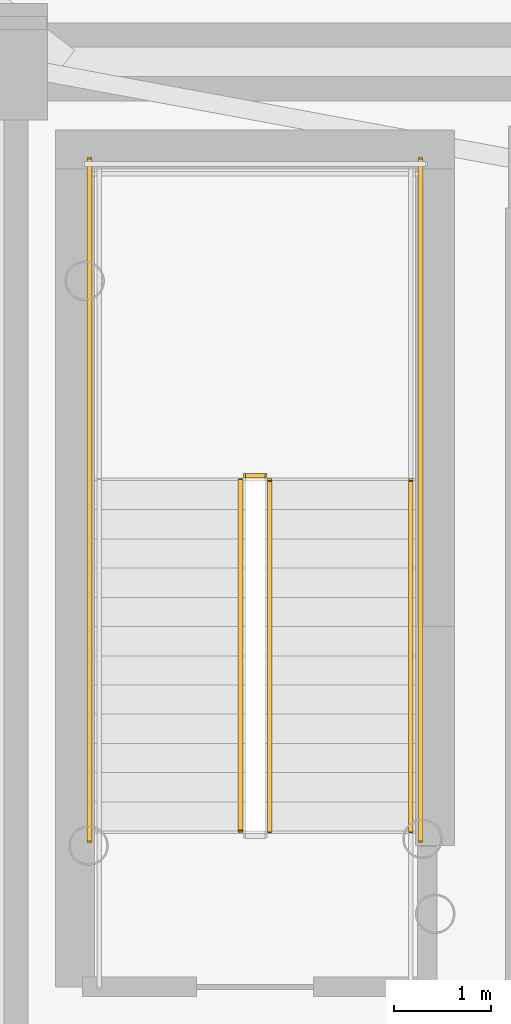
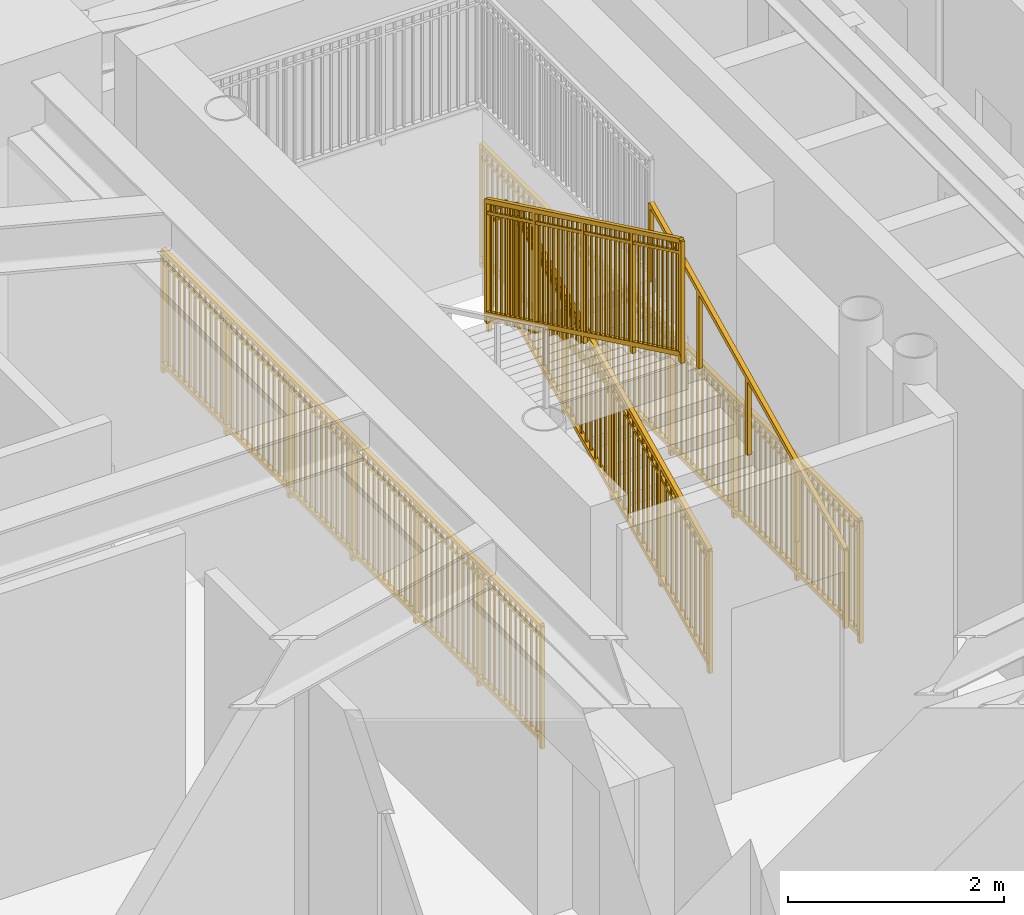
# One storey, part 13 of 17: 6 railings.
"""IFC4 building model written with IfcOpenShell, lengths in metres."""

from ifc_helpers import new_model, si_unit, direction, frame, origin, origin_2d, place, context, subcontext, project, spatial, rectangle, extrude, source, transform, mapped, material, type_object, element, save


model = new_model("IFC4")

# Units and contexts
model_context = context("Model", 3, precision=1e-05, world=origin(), true_north=direction((0.0, 1.0)))
body_context = subcontext(model_context, "Body", "Model", "MODEL_VIEW")
ifc_project = project(units=[si_unit("LENGTHUNIT", "METRE"), si_unit("AREAUNIT", "SQUARE_METRE"), si_unit("VOLUMEUNIT", "CUBIC_METRE"), si_unit("PLANEANGLEUNIT", "RADIAN"), si_unit("MASSUNIT", "GRAM", prefix="KILO")], contexts=[model_context])

# Site, building, storey
site_placement = place(None, origin())
site = spatial("IfcSite", under=ifc_project, at=site_placement, CompositionType="ELEMENT")
building_placement = place(site_placement, origin())
building = spatial("IfcBuilding", under=site, at=building_placement, Name="Linh Dai School and Residence Tower", CompositionType="ELEMENT")
storey_placement = place(building_placement, frame((0.0, 0.0, 201.14990234375)))
storey = spatial("IfcBuildingStorey", under=building, at=storey_placement, Name="L49", CompositionType="ELEMENT", Elevation=201.14990234375)

# Railings
ifc_material_1 = material(Name="Structural Steel S355JR", Category="steel")
railing_type_1 = type_object("IfcRailingType", Name="RL-ST-GUARD-1400", PredefinedType="GUARDRAIL", material=ifc_material_1)
shared_shape_1 = source(origin(), body_context, "Body", "SweptSolid", [
    extrude(rectangle(XDim=0.048095703125, YDim=0.048095703125, at=origin_2d()), frame((0.0, 0.0, 1.3759765625), z_axis=(-1.0, 0.0, 0.0), x_axis=(0.0, -1.0, 0.0)), (0.0, 0.0, 1.0), 0.199951171875),
    extrude(rectangle(XDim=0.048095703125, YDim=0.048095703125, at=origin_2d()), frame((0.0, 0.0, 0.10009765625), z_axis=(-1.0, 0.0, 0.0), x_axis=(0.0, -1.0, 0.0)), (0.0, 0.0, 1.0), 0.199951171875),
    extrude(rectangle(XDim=0.030029296875, YDim=0.030029296875, at=origin_2d()), frame((0.0, 0.0, 1.239990234375), z_axis=(-1.0, 0.0, 0.0), x_axis=(0.0, -1.0, 0.0)), (0.0, 0.0, 1.0), 0.199951171875),
    extrude(rectangle(XDim=0.0419921875, YDim=0.0419921875, at=origin_2d()), origin(), (0.0, 0.0, 1.0), 1.3759765625),
    extrude(rectangle(XDim=0.0419921875, YDim=0.0419921875, at=origin_2d()), frame((-0.199951171875, 0.0, 0.0)), (0.0, 0.0, 1.0), 1.3759765625),
])
railing_1_placement = place(storey_placement, frame((29.429931640625, 29.35009765625, 1.875)))
element("IfcRailing", 1, at=railing_1_placement, inside=storey, type_object=railing_type_1, Name="L49 ST1 stair guard 2", PredefinedType="GUARDRAIL", context=body_context, shape_type="MappedRepresentation", body=[
    mapped(shared_shape_1, transform((0.0, 0.0, 0.0), x_axis=(1.0, 0.0, 0.0), y_axis=(0.0, 1.0, 0.0), z_axis=(0.0, 0.0, 1.0), scale=1.0)),
])
shared_shape_2 = source(origin(), body_context, "Body", "SweptSolid", [
    extrude(rectangle(XDim=0.048095703125, YDim=0.048095703125, at=origin_2d()), frame((0.0, 0.0, 1.3759765625), z_axis=(0.0, 1.0, 0.0), x_axis=(-1.0, 0.0, 0.0)), (0.0, 0.0, 1.0), 7.0),
    extrude(rectangle(XDim=0.048095703125, YDim=0.048095703125, at=origin_2d()), frame((0.0, 0.0, 0.10009765625), z_axis=(0.0, 1.0, 0.0), x_axis=(-1.0, 0.0, 0.0)), (0.0, 0.0, 1.0), 7.0),
    extrude(rectangle(XDim=0.030029296875, YDim=0.030029296875, at=origin_2d()), frame((0.0, 0.0, 1.239990234375), z_axis=(0.0, 1.0, 0.0), x_axis=(-1.0, 0.0, 0.0)), (0.0, 0.0, 1.0), 7.0),
    extrude(rectangle(XDim=0.02001953125, YDim=0.02001953125, at=origin_2d()), frame((0.0, 0.09716796875, 0.10009765625)), (0.0, 0.0, 1.0), 1.251708984375),
    extrude(rectangle(XDim=0.02001953125, YDim=0.02001953125, at=origin_2d()), frame((0.0, 0.1943359375, 0.10009765625)), (0.0, 0.0, 1.0), 1.251708984375),
    extrude(rectangle(XDim=0.02001953125, YDim=0.02001953125, at=origin_2d()), frame((0.0, 0.291748046875, 0.10009765625)), (0.0, 0.0, 1.0), 1.251708984375),
    extrude(rectangle(XDim=0.02001953125, YDim=0.02001953125, at=origin_2d()), frame((0.0, 0.388916015625, 0.10009765625)), (0.0, 0.0, 1.0), 1.251708984375),
    extrude(rectangle(XDim=0.02001953125, YDim=0.02001953125, at=origin_2d()), frame((0.0, 0.486083984375, 0.10009765625)), (0.0, 0.0, 1.0), 1.251708984375),
    extrude(rectangle(XDim=0.02001953125, YDim=0.02001953125, at=origin_2d()), frame((0.0, 0.583251953125, 0.10009765625)), (0.0, 0.0, 1.0), 1.251708984375),
    extrude(rectangle(XDim=0.02001953125, YDim=0.02001953125, at=origin_2d()), frame((0.0, 0.6806640625, 0.10009765625)), (0.0, 0.0, 1.0), 1.251708984375),
    extrude(rectangle(XDim=0.02001953125, YDim=0.02001953125, at=origin_2d()), frame((0.0, 0.77783203125, 0.10009765625)), (0.0, 0.0, 1.0), 1.251708984375),
    extrude(rectangle(XDim=0.02001953125, YDim=0.02001953125, at=origin_2d()), frame((0.0, 0.875, 0.10009765625)), (0.0, 0.0, 1.0), 1.251708984375),
    extrude(rectangle(XDim=0.02001953125, YDim=0.02001953125, at=origin_2d()), frame((0.0, 0.97216796875, 0.10009765625)), (0.0, 0.0, 1.0), 1.251708984375),
    extrude(rectangle(XDim=0.02001953125, YDim=0.02001953125, at=origin_2d()), frame((0.0, 1.0693359375, 0.10009765625)), (0.0, 0.0, 1.0), 1.251708984375),
    extrude(rectangle(XDim=0.02001953125, YDim=0.02001953125, at=origin_2d()), frame((0.0, 1.263916015625, 0.10009765625)), (0.0, 0.0, 1.0), 1.251708984375),
    extrude(rectangle(XDim=0.02001953125, YDim=0.02001953125, at=origin_2d()), frame((0.0, 1.361083984375, 0.10009765625)), (0.0, 0.0, 1.0), 1.251708984375),
    extrude(rectangle(XDim=0.02001953125, YDim=0.02001953125, at=origin_2d()), frame((0.0, 1.458251953125, 0.10009765625)), (0.0, 0.0, 1.0), 1.251708984375),
    extrude(rectangle(XDim=0.02001953125, YDim=0.02001953125, at=origin_2d()), frame((0.0, 1.5556640625, 0.10009765625)), (0.0, 0.0, 1.0), 1.251708984375),
    extrude(rectangle(XDim=0.02001953125, YDim=0.02001953125, at=origin_2d()), frame((0.0, 1.65283203125, 0.10009765625)), (0.0, 0.0, 1.0), 1.251708984375),
    extrude(rectangle(XDim=0.02001953125, YDim=0.02001953125, at=origin_2d()), frame((0.0, 1.75, 0.10009765625)), (0.0, 0.0, 1.0), 1.251708984375),
    extrude(rectangle(XDim=0.02001953125, YDim=0.02001953125, at=origin_2d()), frame((0.0, 1.84716796875, 0.10009765625)), (0.0, 0.0, 1.0), 1.251708984375),
    extrude(rectangle(XDim=0.02001953125, YDim=0.02001953125, at=origin_2d()), frame((0.0, 1.9443359375, 0.10009765625)), (0.0, 0.0, 1.0), 1.251708984375),
    extrude(rectangle(XDim=0.02001953125, YDim=0.02001953125, at=origin_2d()), frame((0.0, 2.041748046875, 0.10009765625)), (0.0, 0.0, 1.0), 1.251708984375),
    extrude(rectangle(XDim=0.02001953125, YDim=0.02001953125, at=origin_2d()), frame((0.0, 2.138916015625, 0.10009765625)), (0.0, 0.0, 1.0), 1.251708984375),
    extrude(rectangle(XDim=0.02001953125, YDim=0.02001953125, at=origin_2d()), frame((0.0, 2.236083984375, 0.10009765625)), (0.0, 0.0, 1.0), 1.251708984375),
    extrude(rectangle(XDim=0.02001953125, YDim=0.02001953125, at=origin_2d()), frame((0.0, 2.4306640625, 0.10009765625)), (0.0, 0.0, 1.0), 1.251708984375),
    extrude(rectangle(XDim=0.02001953125, YDim=0.02001953125, at=origin_2d()), frame((0.0, 2.52783203125, 0.10009765625)), (0.0, 0.0, 1.0), 1.251708984375),
    extrude(rectangle(XDim=0.02001953125, YDim=0.02001953125, at=origin_2d()), frame((0.0, 2.625, 0.10009765625)), (0.0, 0.0, 1.0), 1.251708984375),
    extrude(rectangle(XDim=0.02001953125, YDim=0.02001953125, at=origin_2d()), frame((0.0, 2.72216796875, 0.10009765625)), (0.0, 0.0, 1.0), 1.251708984375),
    extrude(rectangle(XDim=0.02001953125, YDim=0.02001953125, at=origin_2d()), frame((0.0, 2.8193359375, 0.10009765625)), (0.0, 0.0, 1.0), 1.251708984375),
    extrude(rectangle(XDim=0.02001953125, YDim=0.02001953125, at=origin_2d()), frame((0.0, 2.916748046875, 0.10009765625)), (0.0, 0.0, 1.0), 1.251708984375),
    extrude(rectangle(XDim=0.02001953125, YDim=0.02001953125, at=origin_2d()), frame((0.0, 3.013916015625, 0.10009765625)), (0.0, 0.0, 1.0), 1.251708984375),
    extrude(rectangle(XDim=0.02001953125, YDim=0.02001953125, at=origin_2d()), frame((0.0, 3.111083984375, 0.10009765625)), (0.0, 0.0, 1.0), 1.251708984375),
    extrude(rectangle(XDim=0.02001953125, YDim=0.02001953125, at=origin_2d()), frame((0.0, 3.208251953125, 0.10009765625)), (0.0, 0.0, 1.0), 1.251708984375),
    extrude(rectangle(XDim=0.02001953125, YDim=0.02001953125, at=origin_2d()), frame((0.0, 3.3056640625, 0.10009765625)), (0.0, 0.0, 1.0), 1.251708984375),
    extrude(rectangle(XDim=0.02001953125, YDim=0.02001953125, at=origin_2d()), frame((0.0, 3.40283203125, 0.10009765625)), (0.0, 0.0, 1.0), 1.251708984375),
    extrude(rectangle(XDim=0.02001953125, YDim=0.02001953125, at=origin_2d()), frame((0.0, 3.59716796875, 0.10009765625)), (0.0, 0.0, 1.0), 1.251708984375),
    extrude(rectangle(XDim=0.02001953125, YDim=0.02001953125, at=origin_2d()), frame((0.0, 3.6943359375, 0.10009765625)), (0.0, 0.0, 1.0), 1.251708984375),
    extrude(rectangle(XDim=0.02001953125, YDim=0.02001953125, at=origin_2d()), frame((0.0, 3.791748046875, 0.10009765625)), (0.0, 0.0, 1.0), 1.251708984375),
    extrude(rectangle(XDim=0.02001953125, YDim=0.02001953125, at=origin_2d()), frame((0.0, 3.888916015625, 0.10009765625)), (0.0, 0.0, 1.0), 1.251708984375),
    extrude(rectangle(XDim=0.02001953125, YDim=0.02001953125, at=origin_2d()), frame((0.0, 3.986083984375, 0.10009765625)), (0.0, 0.0, 1.0), 1.251708984375),
    extrude(rectangle(XDim=0.02001953125, YDim=0.02001953125, at=origin_2d()), frame((0.0, 4.083251953125, 0.10009765625)), (0.0, 0.0, 1.0), 1.251708984375),
    extrude(rectangle(XDim=0.02001953125, YDim=0.02001953125, at=origin_2d()), frame((0.0, 4.1806640625, 0.10009765625)), (0.0, 0.0, 1.0), 1.251708984375),
    extrude(rectangle(XDim=0.02001953125, YDim=0.02001953125, at=origin_2d()), frame((0.0, 4.27783203125, 0.10009765625)), (0.0, 0.0, 1.0), 1.251708984375),
    extrude(rectangle(XDim=0.02001953125, YDim=0.02001953125, at=origin_2d()), frame((0.0, 4.375, 0.10009765625)), (0.0, 0.0, 1.0), 1.251708984375),
    extrude(rectangle(XDim=0.02001953125, YDim=0.02001953125, at=origin_2d()), frame((0.0, 4.47216796875, 0.10009765625)), (0.0, 0.0, 1.0), 1.251708984375),
    extrude(rectangle(XDim=0.02001953125, YDim=0.02001953125, at=origin_2d()), frame((0.0, 4.5693359375, 0.10009765625)), (0.0, 0.0, 1.0), 1.251708984375),
    extrude(rectangle(XDim=0.02001953125, YDim=0.02001953125, at=origin_2d()), frame((0.0, 4.763916015625, 0.10009765625)), (0.0, 0.0, 1.0), 1.251708984375),
    extrude(rectangle(XDim=0.02001953125, YDim=0.02001953125, at=origin_2d()), frame((0.0, 4.861083984375, 0.10009765625)), (0.0, 0.0, 1.0), 1.251708984375),
    extrude(rectangle(XDim=0.02001953125, YDim=0.02001953125, at=origin_2d()), frame((0.0, 4.958251953125, 0.10009765625)), (0.0, 0.0, 1.0), 1.251708984375),
    extrude(rectangle(XDim=0.02001953125, YDim=0.02001953125, at=origin_2d()), frame((0.0, 5.0556640625, 0.10009765625)), (0.0, 0.0, 1.0), 1.251708984375),
    extrude(rectangle(XDim=0.02001953125, YDim=0.02001953125, at=origin_2d()), frame((0.0, 5.15283203125, 0.10009765625)), (0.0, 0.0, 1.0), 1.251708984375),
    extrude(rectangle(XDim=0.02001953125, YDim=0.02001953125, at=origin_2d()), frame((0.0, 5.25, 0.10009765625)), (0.0, 0.0, 1.0), 1.251708984375),
    extrude(rectangle(XDim=0.02001953125, YDim=0.02001953125, at=origin_2d()), frame((0.0, 5.34716796875, 0.10009765625)), (0.0, 0.0, 1.0), 1.251708984375),
    extrude(rectangle(XDim=0.02001953125, YDim=0.02001953125, at=origin_2d()), frame((0.0, 5.4443359375, 0.10009765625)), (0.0, 0.0, 1.0), 1.251708984375),
    extrude(rectangle(XDim=0.02001953125, YDim=0.02001953125, at=origin_2d()), frame((0.0, 5.541748046875, 0.10009765625)), (0.0, 0.0, 1.0), 1.251708984375),
    extrude(rectangle(XDim=0.02001953125, YDim=0.02001953125, at=origin_2d()), frame((0.0, 5.638916015625, 0.10009765625)), (0.0, 0.0, 1.0), 1.251708984375),
    extrude(rectangle(XDim=0.02001953125, YDim=0.02001953125, at=origin_2d()), frame((0.0, 5.736083984375, 0.10009765625)), (0.0, 0.0, 1.0), 1.251708984375),
    extrude(rectangle(XDim=0.02001953125, YDim=0.02001953125, at=origin_2d()), frame((0.0, 5.9306640625, 0.10009765625)), (0.0, 0.0, 1.0), 1.251708984375),
    extrude(rectangle(XDim=0.02001953125, YDim=0.02001953125, at=origin_2d()), frame((0.0, 6.02783203125, 0.10009765625)), (0.0, 0.0, 1.0), 1.251708984375),
    extrude(rectangle(XDim=0.02001953125, YDim=0.02001953125, at=origin_2d()), frame((0.0, 6.125, 0.10009765625)), (0.0, 0.0, 1.0), 1.251708984375),
    extrude(rectangle(XDim=0.02001953125, YDim=0.02001953125, at=origin_2d()), frame((0.0, 6.22216796875, 0.10009765625)), (0.0, 0.0, 1.0), 1.251708984375),
    extrude(rectangle(XDim=0.02001953125, YDim=0.02001953125, at=origin_2d()), frame((0.0, 6.3193359375, 0.10009765625)), (0.0, 0.0, 1.0), 1.251708984375),
    extrude(rectangle(XDim=0.02001953125, YDim=0.02001953125, at=origin_2d()), frame((0.0, 6.416748046875, 0.10009765625)), (0.0, 0.0, 1.0), 1.251708984375),
    extrude(rectangle(XDim=0.02001953125, YDim=0.02001953125, at=origin_2d()), frame((0.0, 6.513916015625, 0.10009765625)), (0.0, 0.0, 1.0), 1.251708984375),
    extrude(rectangle(XDim=0.02001953125, YDim=0.02001953125, at=origin_2d()), frame((0.0, 6.611083984375, 0.10009765625)), (0.0, 0.0, 1.0), 1.251708984375),
    extrude(rectangle(XDim=0.02001953125, YDim=0.02001953125, at=origin_2d()), frame((0.0, 6.708251953125, 0.10009765625)), (0.0, 0.0, 1.0), 1.251708984375),
    extrude(rectangle(XDim=0.02001953125, YDim=0.02001953125, at=origin_2d()), frame((0.0, 6.8056640625, 0.10009765625)), (0.0, 0.0, 1.0), 1.251708984375),
    extrude(rectangle(XDim=0.02001953125, YDim=0.02001953125, at=origin_2d()), frame((0.0, 6.90283203125, 0.10009765625)), (0.0, 0.0, 1.0), 1.251708984375),
    extrude(rectangle(XDim=0.0419921875, YDim=0.0419921875, at=origin_2d()), origin(), (0.0, 0.0, 1.0), 1.3759765625),
    extrude(rectangle(XDim=0.0419921875, YDim=0.0419921875, at=origin_2d()), frame((0.0, 1.166748046875, 0.0)), (0.0, 0.0, 1.0), 1.3759765625),
    extrude(rectangle(XDim=0.0419921875, YDim=0.0419921875, at=origin_2d()), frame((0.0, 2.333251953125, 0.0)), (0.0, 0.0, 1.0), 1.3759765625),
    extrude(rectangle(XDim=0.0419921875, YDim=0.0419921875, at=origin_2d()), frame((0.0, 3.5, 0.0)), (0.0, 0.0, 1.0), 1.3759765625),
    extrude(rectangle(XDim=0.0419921875, YDim=0.0419921875, at=origin_2d()), frame((0.0, 4.666748046875, 0.0)), (0.0, 0.0, 1.0), 1.3759765625),
    extrude(rectangle(XDim=0.0419921875, YDim=0.0419921875, at=origin_2d()), frame((0.0, 5.833251953125, 0.0)), (0.0, 0.0, 1.0), 1.3759765625),
    extrude(rectangle(XDim=0.0419921875, YDim=0.0419921875, at=origin_2d()), frame((0.0, 7.0, 0.0)), (0.0, 0.0, 1.0), 1.3759765625),
])
for number, where, name in (
    (2, (31.030029296875, 25.60009765625, 0.0), "L49 ST1 stair guard 10"),
    (3, (27.6298828125, 25.60009765625, 0.0), "L49 ST1 stair guard 11"),
):
    element("IfcRailing", number, at=place(storey_placement, frame(where)), inside=storey, type_object=railing_type_1, Name=name, PredefinedType="GUARDRAIL", context=body_context, shape_type="MappedRepresentation", body=[
        mapped(shared_shape_2, transform((0.0, 0.0, 0.0), x_axis=(1.0, 0.0, 0.0), y_axis=(0.0, 1.0, 0.0), z_axis=(0.0, 0.0, 1.0), scale=1.0)),
    ])
shared_shape_3 = source(origin(), body_context, "Body", "SweptSolid", [
    extrude(rectangle(XDim=0.048095703125, YDim=0.048095703125, at=origin_2d()), frame((0.0, 0.0, 1.3759765625), z_axis=(0.0, 0.901262522062, 0.433273431364), x_axis=(-1.0, 0.0, 0.0)), (0.0, 0.0, 1.0), 3.994384765625),
    extrude(rectangle(XDim=0.048095703125, YDim=0.048095703125, at=origin_2d()), frame((0.0, 0.0, 0.10009765625), z_axis=(0.0, 0.901262522062, 0.433273431364), x_axis=(-1.0, 0.0, 0.0)), (0.0, 0.0, 1.0), 3.994384765625),
    extrude(rectangle(XDim=0.030029296875, YDim=0.030029296875, at=origin_2d()), frame((0.0, 0.0, 1.239990234375), z_axis=(0.0, 0.901262522062, 0.433273431364), x_axis=(-1.0, 0.0, 0.0)), (0.0, 0.0, 1.0), 3.994384765625),
    extrude(rectangle(XDim=0.02001953125, YDim=0.02001953125, at=origin_2d()), frame((0.0, 0.087890625, 0.142333984375)), (0.0, 0.0, 1.0), 1.251708984375),
    extrude(rectangle(XDim=0.02001953125, YDim=0.02001953125, at=origin_2d()), frame((0.0, 0.175537109375, 0.1845703125)), (0.0, 0.0, 1.0), 1.251708984375),
    extrude(rectangle(XDim=0.02001953125, YDim=0.02001953125, at=origin_2d()), frame((0.0, 0.263427734375, 0.226806640625)), (0.0, 0.0, 1.0), 1.251708984375),
    extrude(rectangle(XDim=0.02001953125, YDim=0.02001953125, at=origin_2d()), frame((0.0, 0.351318359375, 0.26904296875)), (0.0, 0.0, 1.0), 1.251708984375),
    extrude(rectangle(XDim=0.02001953125, YDim=0.02001953125, at=origin_2d()), frame((0.0, 0.43896484375, 0.311279296875)), (0.0, 0.0, 1.0), 1.251708984375),
    extrude(rectangle(XDim=0.02001953125, YDim=0.02001953125, at=origin_2d()), frame((0.0, 0.52685546875, 0.353271484375)), (0.0, 0.0, 1.0), 1.251708984375),
    extrude(rectangle(XDim=0.02001953125, YDim=0.02001953125, at=origin_2d()), frame((0.0, 0.61474609375, 0.3955078125)), (0.0, 0.0, 1.0), 1.251708984375),
    extrude(rectangle(XDim=0.02001953125, YDim=0.02001953125, at=origin_2d()), frame((0.0, 0.702392578125, 0.437744140625)), (0.0, 0.0, 1.0), 1.251708984375),
    extrude(rectangle(XDim=0.02001953125, YDim=0.02001953125, at=origin_2d()), frame((0.0, 0.790283203125, 0.47998046875)), (0.0, 0.0, 1.0), 1.251708984375),
    extrude(rectangle(XDim=0.02001953125, YDim=0.02001953125, at=origin_2d()), frame((0.0, 0.9658203125, 0.564453125)), (0.0, 0.0, 1.0), 1.251708984375),
    extrude(rectangle(XDim=0.02001953125, YDim=0.02001953125, at=origin_2d()), frame((0.0, 1.0537109375, 0.606689453125)), (0.0, 0.0, 1.0), 1.251708984375),
    extrude(rectangle(XDim=0.02001953125, YDim=0.02001953125, at=origin_2d()), frame((0.0, 1.1416015625, 0.64892578125)), (0.0, 0.0, 1.0), 1.251708984375),
    extrude(rectangle(XDim=0.02001953125, YDim=0.02001953125, at=origin_2d()), frame((0.0, 1.229248046875, 0.691162109375)), (0.0, 0.0, 1.0), 1.251708984375),
    extrude(rectangle(XDim=0.02001953125, YDim=0.02001953125, at=origin_2d()), frame((0.0, 1.317138671875, 0.7333984375)), (0.0, 0.0, 1.0), 1.251708984375),
    extrude(rectangle(XDim=0.02001953125, YDim=0.02001953125, at=origin_2d()), frame((0.0, 1.405029296875, 0.775390625)), (0.0, 0.0, 1.0), 1.251708984375),
    extrude(rectangle(XDim=0.02001953125, YDim=0.02001953125, at=origin_2d()), frame((0.0, 1.49267578125, 0.817626953125)), (0.0, 0.0, 1.0), 1.251708984375),
    extrude(rectangle(XDim=0.02001953125, YDim=0.02001953125, at=origin_2d()), frame((0.0, 1.58056640625, 0.85986328125)), (0.0, 0.0, 1.0), 1.251708984375),
    extrude(rectangle(XDim=0.02001953125, YDim=0.02001953125, at=origin_2d()), frame((0.0, 1.66845703125, 0.902099609375)), (0.0, 0.0, 1.0), 1.251708984375),
    extrude(rectangle(XDim=0.02001953125, YDim=0.02001953125, at=origin_2d()), frame((0.0, 1.756103515625, 0.9443359375)), (0.0, 0.0, 1.0), 1.251708984375),
    extrude(rectangle(XDim=0.02001953125, YDim=0.02001953125, at=origin_2d()), frame((0.0, 1.843994140625, 0.986572265625)), (0.0, 0.0, 1.0), 1.251708984375),
    extrude(rectangle(XDim=0.02001953125, YDim=0.02001953125, at=origin_2d()), frame((0.0, 1.931640625, 1.02880859375)), (0.0, 0.0, 1.0), 1.251708984375),
    extrude(rectangle(XDim=0.02001953125, YDim=0.02001953125, at=origin_2d()), frame((0.0, 2.01953125, 1.071044921875)), (0.0, 0.0, 1.0), 1.251708984375),
    extrude(rectangle(XDim=0.02001953125, YDim=0.02001953125, at=origin_2d()), frame((0.0, 2.107421875, 1.11328125)), (0.0, 0.0, 1.0), 1.251708984375),
    extrude(rectangle(XDim=0.02001953125, YDim=0.02001953125, at=origin_2d()), frame((0.0, 2.195068359375, 1.155517578125)), (0.0, 0.0, 1.0), 1.251708984375),
    extrude(rectangle(XDim=0.02001953125, YDim=0.02001953125, at=origin_2d()), frame((0.0, 2.282958984375, 1.197509765625)), (0.0, 0.0, 1.0), 1.251708984375),
    extrude(rectangle(XDim=0.02001953125, YDim=0.02001953125, at=origin_2d()), frame((0.0, 2.370849609375, 1.23974609375)), (0.0, 0.0, 1.0), 1.251708984375),
    extrude(rectangle(XDim=0.02001953125, YDim=0.02001953125, at=origin_2d()), frame((0.0, 2.45849609375, 1.281982421875)), (0.0, 0.0, 1.0), 1.251708984375),
    extrude(rectangle(XDim=0.02001953125, YDim=0.02001953125, at=origin_2d()), frame((0.0, 2.54638671875, 1.32421875)), (0.0, 0.0, 1.0), 1.251708984375),
    extrude(rectangle(XDim=0.02001953125, YDim=0.02001953125, at=origin_2d()), frame((0.0, 2.63427734375, 1.366455078125)), (0.0, 0.0, 1.0), 1.251708984375),
    extrude(rectangle(XDim=0.02001953125, YDim=0.02001953125, at=origin_2d()), frame((0.0, 2.809814453125, 1.450927734375)), (0.0, 0.0, 1.0), 1.251708984375),
    extrude(rectangle(XDim=0.02001953125, YDim=0.02001953125, at=origin_2d()), frame((0.0, 2.897705078125, 1.4931640625)), (0.0, 0.0, 1.0), 1.251708984375),
    extrude(rectangle(XDim=0.02001953125, YDim=0.02001953125, at=origin_2d()), frame((0.0, 2.9853515625, 1.535400390625)), (0.0, 0.0, 1.0), 1.251708984375),
    extrude(rectangle(XDim=0.02001953125, YDim=0.02001953125, at=origin_2d()), frame((0.0, 3.0732421875, 1.57763671875)), (0.0, 0.0, 1.0), 1.251708984375),
    extrude(rectangle(XDim=0.02001953125, YDim=0.02001953125, at=origin_2d()), frame((0.0, 3.1611328125, 1.61962890625)), (0.0, 0.0, 1.0), 1.251708984375),
    extrude(rectangle(XDim=0.02001953125, YDim=0.02001953125, at=origin_2d()), frame((0.0, 3.248779296875, 1.661865234375)), (0.0, 0.0, 1.0), 1.251708984375),
    extrude(rectangle(XDim=0.02001953125, YDim=0.02001953125, at=origin_2d()), frame((0.0, 3.336669921875, 1.7041015625)), (0.0, 0.0, 1.0), 1.251708984375),
    extrude(rectangle(XDim=0.02001953125, YDim=0.02001953125, at=origin_2d()), frame((0.0, 3.424560546875, 1.746337890625)), (0.0, 0.0, 1.0), 1.251708984375),
    extrude(rectangle(XDim=0.02001953125, YDim=0.02001953125, at=origin_2d()), frame((0.0, 3.51220703125, 1.78857421875)), (0.0, 0.0, 1.0), 1.251708984375),
    extrude(rectangle(XDim=0.0419921875, YDim=0.0419921875, at=origin_2d()), origin(), (0.0, 0.0, 1.0), 1.3759765625),
    extrude(rectangle(XDim=0.0419921875, YDim=0.0419921875, at=origin_2d()), frame((0.0, 0.89990234375, 0.4326171875)), (0.0, 0.0, 1.0), 1.3759765625),
    extrude(rectangle(XDim=0.0419921875, YDim=0.0419921875, at=origin_2d()), frame((0.0, 1.800048828125, 0.865234375)), (0.0, 0.0, 1.0), 1.3759765625),
    extrude(rectangle(XDim=0.0419921875, YDim=0.0419921875, at=origin_2d()), frame((0.0, 2.7001953125, 1.298095703125)), (0.0, 0.0, 1.0), 1.3759765625),
    extrude(rectangle(XDim=0.0419921875, YDim=0.0419921875, at=origin_2d()), frame((0.0, 3.60009765625, 1.730712890625)), (0.0, 0.0, 1.0), 1.3759765625),
])
railing_2_placement = place(storey_placement, frame((29.47998046875, 25.699951171875, 0.144287109375)))
element("IfcRailing", 4, at=railing_2_placement, inside=storey, type_object=railing_type_1, Name="L49 ST1 stair guard 1", PredefinedType="GUARDRAIL", context=body_context, shape_type="MappedRepresentation", body=[
    mapped(shared_shape_3, transform((0.0, 0.0, 0.0), x_axis=(1.0, 0.0, 0.0), y_axis=(0.0, 1.0, 0.0), z_axis=(0.0, 0.0, 1.0), scale=1.0)),
])
shared_shape_4 = source(origin(), body_context, "Body", "SweptSolid", [
    extrude(rectangle(XDim=0.048095703125, YDim=0.048095703125, at=origin_2d()), frame((0.0, 0.0, 1.3759765625), z_axis=(0.0, -0.901262522062, 0.433273431364), x_axis=(1.0, 0.0, 0.0)), (0.0, 0.0, 1.0), 3.994384765625),
    extrude(rectangle(XDim=0.048095703125, YDim=0.048095703125, at=origin_2d()), frame((0.0, 0.0, 0.10009765625), z_axis=(0.0, -0.901262522062, 0.433273431364), x_axis=(1.0, 0.0, 0.0)), (0.0, 0.0, 1.0), 3.994384765625),
    extrude(rectangle(XDim=0.030029296875, YDim=0.030029296875, at=origin_2d()), frame((0.0, 0.0, 1.239990234375), z_axis=(0.0, -0.901262522062, 0.433273431364), x_axis=(1.0, 0.0, 0.0)), (0.0, 0.0, 1.0), 3.994384765625),
    extrude(rectangle(XDim=0.02001953125, YDim=0.02001953125, at=origin_2d()), frame((0.0, -0.087890625, 0.142333984375)), (0.0, 0.0, 1.0), 1.251708984375),
    extrude(rectangle(XDim=0.02001953125, YDim=0.02001953125, at=origin_2d()), frame((0.0, -0.175537109375, 0.1845703125)), (0.0, 0.0, 1.0), 1.251708984375),
    extrude(rectangle(XDim=0.02001953125, YDim=0.02001953125, at=origin_2d()), frame((0.0, -0.263427734375, 0.226806640625)), (0.0, 0.0, 1.0), 1.251708984375),
    extrude(rectangle(XDim=0.02001953125, YDim=0.02001953125, at=origin_2d()), frame((0.0, -0.351318359375, 0.26904296875)), (0.0, 0.0, 1.0), 1.251708984375),
    extrude(rectangle(XDim=0.02001953125, YDim=0.02001953125, at=origin_2d()), frame((0.0, -0.43896484375, 0.311279296875)), (0.0, 0.0, 1.0), 1.251708984375),
    extrude(rectangle(XDim=0.02001953125, YDim=0.02001953125, at=origin_2d()), frame((0.0, -0.52685546875, 0.353271484375)), (0.0, 0.0, 1.0), 1.251708984375),
    extrude(rectangle(XDim=0.02001953125, YDim=0.02001953125, at=origin_2d()), frame((0.0, -0.61474609375, 0.3955078125)), (0.0, 0.0, 1.0), 1.251708984375),
    extrude(rectangle(XDim=0.02001953125, YDim=0.02001953125, at=origin_2d()), frame((0.0, -0.702392578125, 0.437744140625)), (0.0, 0.0, 1.0), 1.251708984375),
    extrude(rectangle(XDim=0.02001953125, YDim=0.02001953125, at=origin_2d()), frame((0.0, -0.790283203125, 0.47998046875)), (0.0, 0.0, 1.0), 1.251708984375),
    extrude(rectangle(XDim=0.02001953125, YDim=0.02001953125, at=origin_2d()), frame((0.0, -0.9658203125, 0.564453125)), (0.0, 0.0, 1.0), 1.251708984375),
    extrude(rectangle(XDim=0.02001953125, YDim=0.02001953125, at=origin_2d()), frame((0.0, -1.0537109375, 0.606689453125)), (0.0, 0.0, 1.0), 1.251708984375),
    extrude(rectangle(XDim=0.02001953125, YDim=0.02001953125, at=origin_2d()), frame((0.0, -1.1416015625, 0.64892578125)), (0.0, 0.0, 1.0), 1.251708984375),
    extrude(rectangle(XDim=0.02001953125, YDim=0.02001953125, at=origin_2d()), frame((0.0, -1.229248046875, 0.691162109375)), (0.0, 0.0, 1.0), 1.251708984375),
    extrude(rectangle(XDim=0.02001953125, YDim=0.02001953125, at=origin_2d()), frame((0.0, -1.317138671875, 0.7333984375)), (0.0, 0.0, 1.0), 1.251708984375),
    extrude(rectangle(XDim=0.02001953125, YDim=0.02001953125, at=origin_2d()), frame((0.0, -1.405029296875, 0.775390625)), (0.0, 0.0, 1.0), 1.251708984375),
    extrude(rectangle(XDim=0.02001953125, YDim=0.02001953125, at=origin_2d()), frame((0.0, -1.49267578125, 0.817626953125)), (0.0, 0.0, 1.0), 1.251708984375),
    extrude(rectangle(XDim=0.02001953125, YDim=0.02001953125, at=origin_2d()), frame((0.0, -1.58056640625, 0.85986328125)), (0.0, 0.0, 1.0), 1.251708984375),
    extrude(rectangle(XDim=0.02001953125, YDim=0.02001953125, at=origin_2d()), frame((0.0, -1.66845703125, 0.902099609375)), (0.0, 0.0, 1.0), 1.251708984375),
    extrude(rectangle(XDim=0.02001953125, YDim=0.02001953125, at=origin_2d()), frame((0.0, -1.756103515625, 0.9443359375)), (0.0, 0.0, 1.0), 1.251708984375),
    extrude(rectangle(XDim=0.02001953125, YDim=0.02001953125, at=origin_2d()), frame((0.0, -1.843994140625, 0.986572265625)), (0.0, 0.0, 1.0), 1.251708984375),
    extrude(rectangle(XDim=0.02001953125, YDim=0.02001953125, at=origin_2d()), frame((0.0, -1.931640625, 1.02880859375)), (0.0, 0.0, 1.0), 1.251708984375),
    extrude(rectangle(XDim=0.02001953125, YDim=0.02001953125, at=origin_2d()), frame((0.0, -2.01953125, 1.071044921875)), (0.0, 0.0, 1.0), 1.251708984375),
    extrude(rectangle(XDim=0.02001953125, YDim=0.02001953125, at=origin_2d()), frame((0.0, -2.107421875, 1.11328125)), (0.0, 0.0, 1.0), 1.251708984375),
    extrude(rectangle(XDim=0.02001953125, YDim=0.02001953125, at=origin_2d()), frame((0.0, -2.195068359375, 1.155517578125)), (0.0, 0.0, 1.0), 1.251708984375),
    extrude(rectangle(XDim=0.02001953125, YDim=0.02001953125, at=origin_2d()), frame((0.0, -2.282958984375, 1.197509765625)), (0.0, 0.0, 1.0), 1.251708984375),
    extrude(rectangle(XDim=0.02001953125, YDim=0.02001953125, at=origin_2d()), frame((0.0, -2.370849609375, 1.23974609375)), (0.0, 0.0, 1.0), 1.251708984375),
    extrude(rectangle(XDim=0.02001953125, YDim=0.02001953125, at=origin_2d()), frame((0.0, -2.45849609375, 1.281982421875)), (0.0, 0.0, 1.0), 1.251708984375),
    extrude(rectangle(XDim=0.02001953125, YDim=0.02001953125, at=origin_2d()), frame((0.0, -2.54638671875, 1.32421875)), (0.0, 0.0, 1.0), 1.251708984375),
    extrude(rectangle(XDim=0.02001953125, YDim=0.02001953125, at=origin_2d()), frame((0.0, -2.63427734375, 1.366455078125)), (0.0, 0.0, 1.0), 1.251708984375),
    extrude(rectangle(XDim=0.02001953125, YDim=0.02001953125, at=origin_2d()), frame((0.0, -2.809814453125, 1.450927734375)), (0.0, 0.0, 1.0), 1.251708984375),
    extrude(rectangle(XDim=0.02001953125, YDim=0.02001953125, at=origin_2d()), frame((0.0, -2.897705078125, 1.4931640625)), (0.0, 0.0, 1.0), 1.251708984375),
    extrude(rectangle(XDim=0.02001953125, YDim=0.02001953125, at=origin_2d()), frame((0.0, -2.9853515625, 1.535400390625)), (0.0, 0.0, 1.0), 1.251708984375),
    extrude(rectangle(XDim=0.02001953125, YDim=0.02001953125, at=origin_2d()), frame((0.0, -3.0732421875, 1.57763671875)), (0.0, 0.0, 1.0), 1.251708984375),
    extrude(rectangle(XDim=0.02001953125, YDim=0.02001953125, at=origin_2d()), frame((0.0, -3.1611328125, 1.61962890625)), (0.0, 0.0, 1.0), 1.251708984375),
    extrude(rectangle(XDim=0.02001953125, YDim=0.02001953125, at=origin_2d()), frame((0.0, -3.248779296875, 1.661865234375)), (0.0, 0.0, 1.0), 1.251708984375),
    extrude(rectangle(XDim=0.02001953125, YDim=0.02001953125, at=origin_2d()), frame((0.0, -3.336669921875, 1.7041015625)), (0.0, 0.0, 1.0), 1.251708984375),
    extrude(rectangle(XDim=0.02001953125, YDim=0.02001953125, at=origin_2d()), frame((0.0, -3.424560546875, 1.746337890625)), (0.0, 0.0, 1.0), 1.251708984375),
    extrude(rectangle(XDim=0.02001953125, YDim=0.02001953125, at=origin_2d()), frame((0.0, -3.51220703125, 1.78857421875)), (0.0, 0.0, 1.0), 1.251708984375),
    extrude(rectangle(XDim=0.0419921875, YDim=0.0419921875, at=origin_2d()), origin(), (0.0, 0.0, 1.0), 1.3759765625),
    extrude(rectangle(XDim=0.0419921875, YDim=0.0419921875, at=origin_2d()), frame((0.0, -0.89990234375, 0.4326171875)), (0.0, 0.0, 1.0), 1.3759765625),
    extrude(rectangle(XDim=0.0419921875, YDim=0.0419921875, at=origin_2d()), frame((0.0, -1.800048828125, 0.865234375)), (0.0, 0.0, 1.0), 1.3759765625),
    extrude(rectangle(XDim=0.0419921875, YDim=0.0419921875, at=origin_2d()), frame((0.0, -2.7001953125, 1.298095703125)), (0.0, 0.0, 1.0), 1.3759765625),
    extrude(rectangle(XDim=0.0419921875, YDim=0.0419921875, at=origin_2d()), frame((0.0, -3.60009765625, 1.730712890625)), (0.0, 0.0, 1.0), 1.3759765625),
])
railing_3_placement = place(storey_placement, frame((29.179931640625, 29.300048828125, 2.019287109375)))
element("IfcRailing", 5, at=railing_3_placement, inside=storey, type_object=railing_type_1, Name="L49 ST1 stair guard 6", PredefinedType="GUARDRAIL", context=body_context, shape_type="MappedRepresentation", body=[
    mapped(shared_shape_4, transform((0.0, 0.0, 0.0), x_axis=(1.0, 0.0, 0.0), y_axis=(0.0, 1.0, 0.0), z_axis=(0.0, 0.0, 1.0), scale=1.0)),
])
ifc_material_2 = material(Name="Brushed Stainless Steel Handrail", Category="steel")
railing_type_2 = type_object("IfcRailingType", Name="RL-ST-HANDRAIL-900", PredefinedType="HANDRAIL", material=ifc_material_2)
shared_shape_5 = source(origin(), body_context, "Body", "SweptSolid", [
    extrude(rectangle(XDim=0.048095703125, YDim=0.048095703125, at=origin_2d()), frame((0.0, 0.0, 0.8759765625), z_axis=(0.0, 0.901262522062, 0.433273431364), x_axis=(-1.0, 0.0, 0.0)), (0.0, 0.0, 1.0), 3.994384765625),
    extrude(rectangle(XDim=0.0419921875, YDim=0.0419921875, at=origin_2d()), origin(), (0.0, 0.0, 1.0), 0.8759765625),
    extrude(rectangle(XDim=0.0419921875, YDim=0.0419921875, at=origin_2d()), frame((0.0, 0.89990234375, 0.4326171875)), (0.0, 0.0, 1.0), 0.8759765625),
    extrude(rectangle(XDim=0.0419921875, YDim=0.0419921875, at=origin_2d()), frame((0.0, 1.800048828125, 0.865234375)), (0.0, 0.0, 1.0), 0.8759765625),
    extrude(rectangle(XDim=0.0419921875, YDim=0.0419921875, at=origin_2d()), frame((0.0, 2.7001953125, 1.298095703125)), (0.0, 0.0, 1.0), 0.8759765625),
    extrude(rectangle(XDim=0.0419921875, YDim=0.0419921875, at=origin_2d()), frame((0.0, 3.60009765625, 1.730712890625)), (0.0, 0.0, 1.0), 0.8759765625),
])
railing_4_placement = place(storey_placement, frame((30.929931640625, 25.699951171875, 0.144287109375)))
element("IfcRailing", 6, at=railing_4_placement, inside=storey, type_object=railing_type_2, Name="L49 ST1 stair handrail 1", PredefinedType="HANDRAIL", context=body_context, shape_type="MappedRepresentation", body=[
    mapped(shared_shape_5, transform((0.0, 0.0, 0.0), x_axis=(1.0, 0.0, 0.0), y_axis=(0.0, 1.0, 0.0), z_axis=(0.0, 0.0, 1.0), scale=1.0)),
])

save(model, "model.ifc")
